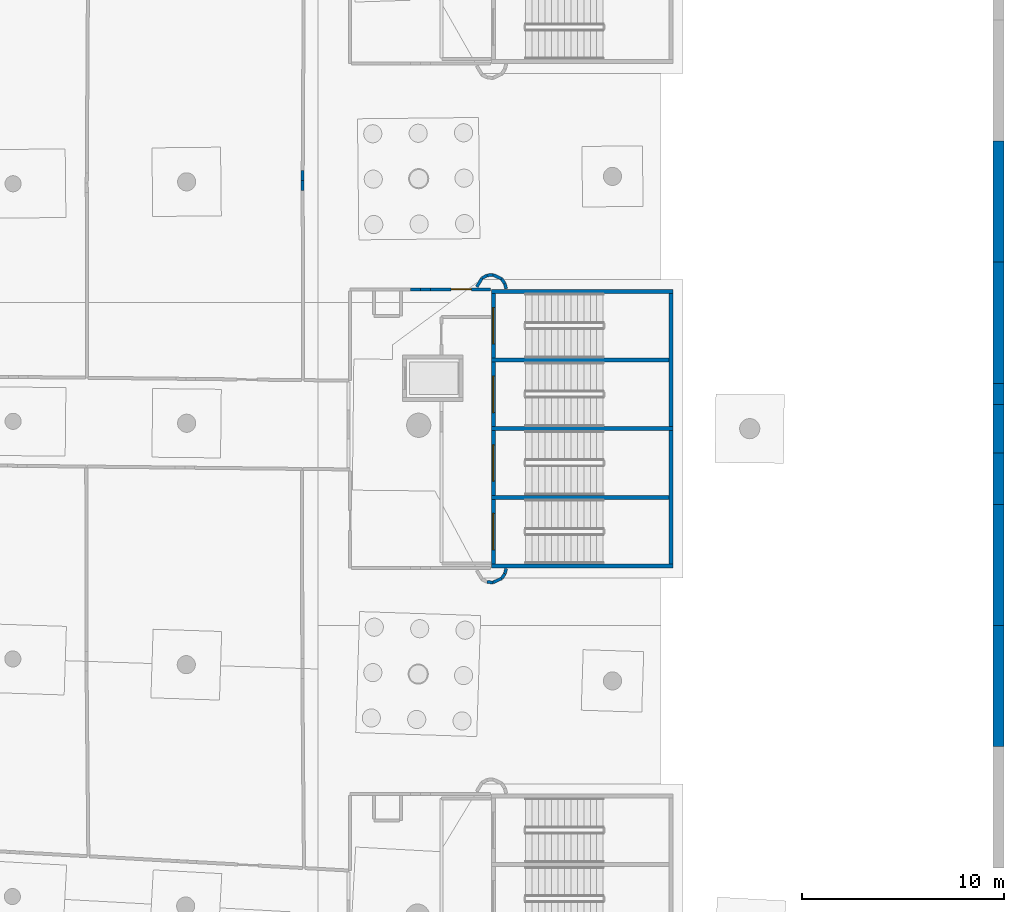
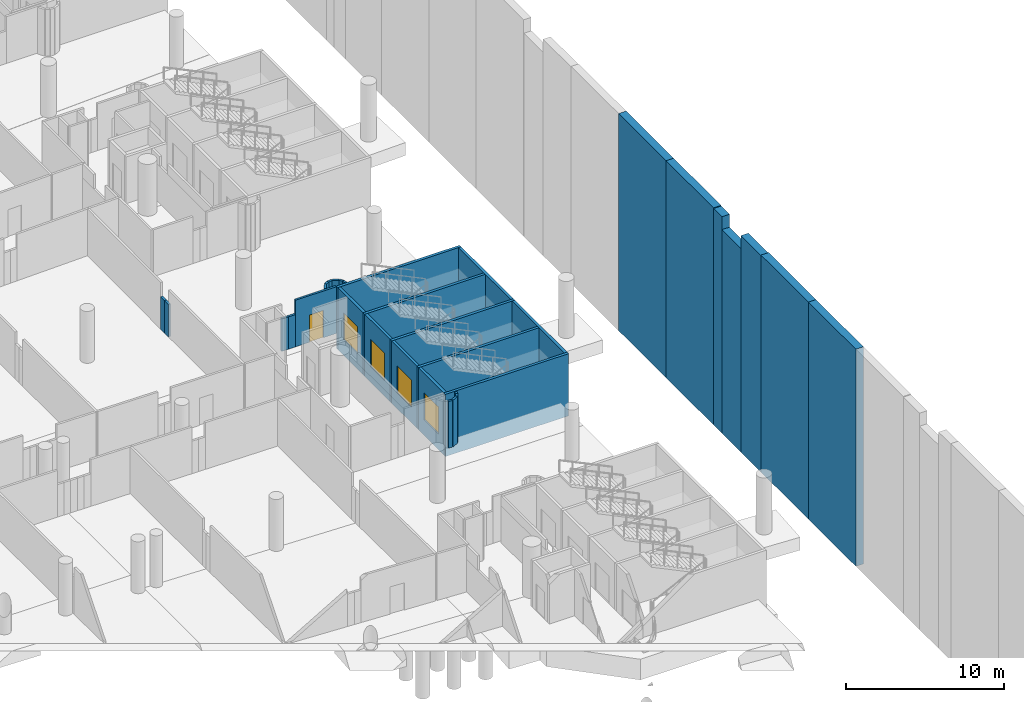
# One storey, part 65 of 142: 33 walls, 5 doors, 5 openings.
"""IFC4 building model written with IfcOpenShell, lengths in metres."""

import ifcopenshell
import ifcopenshell.guid

model = None  # the IFC model being written
_history = None  # IfcOwnerHistory: only IFC2X3 demands one
_inside = {}  # id of a spatial element -> (the spatial element, [elements in it])
_under = {}  # id of a project, library or spatial element -> (it, [spatial elements below it])
_declared = {}  # id of a project -> (the project, [libraries it declares])
_typed = {}  # id of a type object -> (the type object, [elements of that type])
_made_of = {}  # id of a material, layer set ... -> (it, [elements and type objects made of it])


def new_model(schema):
    """Start an empty IFC model of exactly this schema.

    Asked for "IFC4X3", IfcOpenShell would pick the latest addendum, in which some entities
    have other attributes; the version numbers below select the first issue.
    IFC2X3 requires an IfcOwnerHistory on every rooted entity: one is made here for all.
    """
    global model, _history
    if schema == "IFC4X3":
        model = ifcopenshell.file(schema_version=(4, 3, 0, 0))
    else:
        model = ifcopenshell.file(schema=schema)
    _inside.clear()
    _under.clear()
    _declared.clear()
    _typed.clear()
    _made_of.clear()
    _history = None
    if model.schema == "IFC2X3":
        org = make("IfcOrganization", Name="unknown")
        user = make(
            "IfcPersonAndOrganization",
            ThePerson=make("IfcPerson", FamilyName="unknown"),
            TheOrganization=org,
        )
        app = make(
            "IfcApplication",
            ApplicationDeveloper=org,
            Version="unknown",
            ApplicationFullName="unknown",
            ApplicationIdentifier="unknown",
        )
        _history = make(
            "IfcOwnerHistory",
            OwningUser=user,
            OwningApplication=app,
            ChangeAction="ADDED",
            CreationDate=0,
        )
    return model


def make(cls, **values):
    """One entity of the class cls with the attributes given. An attribute that is None is left unset."""
    return model.create_entity(
        cls, **{name: value for name, value in values.items() if value is not None}
    )


def rooted(cls, **values):
    """An entity with a GlobalId (a new one), such as an element, a storey or a relation."""
    return make(cls, GlobalId=ifcopenshell.guid.new(), OwnerHistory=_history, **values)


def si_unit(unit_type, name, prefix=None):
    """IfcSIUnit, for example si_unit("LENGTHUNIT", "METRE", prefix="MILLI")."""
    return make("IfcSIUnit", UnitType=unit_type, Prefix=prefix, Name=name)


def assignment(units):
    """IfcUnitAssignment: the units of a project."""
    return None if units is None else make("IfcUnitAssignment", Units=units)


def point(xyz):
    """IfcCartesianPoint."""
    return None if xyz is None else make("IfcCartesianPoint", Coordinates=xyz)


def direction(xyz):
    """IfcDirection."""
    return None if xyz is None else make("IfcDirection", DirectionRatios=xyz)


def frame(location, z_axis=None, x_axis=None):
    """IfcAxis2Placement3D, a coordinate frame: its origin and axes. An axis left out is left unset."""
    return make(
        "IfcAxis2Placement3D",
        Location=point(location),
        Axis=direction(z_axis),
        RefDirection=direction(x_axis),
    )


def frame_2d(location, x_axis=None):
    """IfcAxis2Placement2D, a coordinate frame in the plane: its origin and x axis."""
    return make(
        "IfcAxis2Placement2D", Location=point(location), RefDirection=direction(x_axis)
    )


def origin():
    """The frame at (0, 0, 0) with its axes left unset."""
    return frame((0.0, 0.0, 0.0))


def place(relative_to, where):
    """IfcLocalPlacement: puts the frame where relative to a parent placement (None: the world)."""
    return make(
        "IfcLocalPlacement", PlacementRelTo=relative_to, RelativePlacement=where
    )


def context(
    kind, dimensions, precision=None, world=None, true_north=None, identifier=None
):
    """IfcGeometricRepresentationContext, for example the 3D "Model" context."""
    return make(
        "IfcGeometricRepresentationContext",
        ContextIdentifier=identifier,
        ContextType=kind,
        CoordinateSpaceDimension=dimensions,
        Precision=precision,
        WorldCoordinateSystem=world,
        TrueNorth=true_north,
    )


def subcontext(parent, identifier, kind, view, scale=None):
    """IfcGeometricRepresentationSubContext, for example "Body" below "Model"."""
    return make(
        "IfcGeometricRepresentationSubContext",
        ContextIdentifier=identifier,
        ContextType=kind,
        ParentContext=parent,
        TargetScale=scale,
        TargetView=view,
    )


def project(units=None, contexts=None):
    """IfcProject with its units and contexts."""
    return rooted(
        "IfcProject",
        Name="project",
        RepresentationContexts=contexts,
        UnitsInContext=assignment(units),
    )


def spatial(cls, under=None, at=None, **own):
    """A site, building, storey or space (cls), placed at a placement, below another one or the project."""
    s = rooted(cls, ObjectPlacement=at, **own)
    if under is not None:
        _under.setdefault(under.id(), (under, []))[1].append(s)
    return s


def profile(cls, at=None, kind="AREA", **sizes):
    """A parametric profile (cls). Its sizes go by their IFC names, for example OverallWidth=200.0."""
    return make(cls, ProfileType=kind, Position=at, **sizes)


def rectangle(**sizes):
    """IfcRectangleProfileDef."""
    return profile("IfcRectangleProfileDef", **sizes)


def extrude(swept, where, along, depth):
    """IfcExtrudedAreaSolid: the profile swept, set in the frame where, extruded along a direction by depth."""
    return make(
        "IfcExtrudedAreaSolid",
        SweptArea=swept,
        Position=where,
        ExtrudedDirection=direction(along),
        Depth=depth,
    )


def shape(context_of_items, identifier, shape_type, items):
    """IfcShapeRepresentation: the items that make up one representation, for example the "Body"."""
    return make(
        "IfcShapeRepresentation",
        ContextOfItems=context_of_items,
        RepresentationIdentifier=identifier,
        RepresentationType=shape_type,
        Items=items,
    )


def material(Name=None, Category=None):
    """IfcMaterial."""
    return make("IfcMaterial", Name=Name, Category=Category)


def layer(
    of_material, thickness, ventilated=None, Name=None, Category=None, Priority=None
):
    """IfcMaterialLayer: one layer of a wall or slab, of a material (None: an air gap)."""
    return make(
        "IfcMaterialLayer",
        Material=of_material,
        LayerThickness=thickness,
        IsVentilated=ventilated,
        Name=Name,
        Category=Category,
        Priority=Priority,
    )


def layer_set(layers, Name=None):
    """IfcMaterialLayerSet."""
    return make("IfcMaterialLayerSet", MaterialLayers=layers, LayerSetName=Name)


def made_of(thing, what):
    """Note that an element or type object is made of a material, layer set ...; save() writes the relation."""
    if what is not None:
        _made_of.setdefault(what.id(), (what, []))[1].append(thing)
    return thing


def type_object(cls, material=None, **own):
    """A type object (cls), such as IfcWallType, which elements share."""
    return made_of(rooted(cls, **own), material)


def element(
    cls,
    number,
    at=None,
    inside=None,
    cuts=None,
    type_object=None,
    material=None,
    context=None,
    identifier="Body",
    shape_type=None,
    held_by="IfcProductDefinitionShape",
    body=None,
    shapes=None,
    **own,
):
    """One element of the class cls, such as IfcWall. Its Tag is "e" and its number.

    at: its placement. inside: the storey or other place that contains it. cuts: it is an
    opening in that element (IfcRelVoidsElement). A single representation is given by context,
    identifier, shape_type and body (its items); several are given by shapes. held_by: the class
    of the entity that holds the representations. save() writes the other relations.
    """
    e = rooted(cls, Tag="e%d" % number, ObjectPlacement=at, **own)
    if body is not None:
        shapes = [shape(context, identifier, shape_type, body)]
    if shapes is not None:
        e.Representation = make(held_by, Representations=shapes)
    if inside is not None:
        _inside.setdefault(inside.id(), (inside, []))[1].append(e)
    if cuts is not None:
        rooted(
            "IfcRelVoidsElement", RelatingBuildingElement=cuts, RelatedOpeningElement=e
        )
    if type_object is not None:
        _typed.setdefault(type_object.id(), (type_object, []))[1].append(e)
    return made_of(e, material)


def fill(opening, filler):
    """IfcRelFillsElement: the door or window that sits in an opening."""
    return rooted(
        "IfcRelFillsElement",
        RelatingOpeningElement=opening,
        RelatedBuildingElement=filler,
    )


def aggregate(whole, parts):
    """IfcRelAggregates: a whole, such as a stair, and the parts it consists of."""
    return rooted("IfcRelAggregates", RelatingObject=whole, RelatedObjects=parts)


def save(model, path):
    """Write the relations noted so far, then the file.

    IfcRelAggregates (storeys below a building ...), IfcRelContainedInSpatialStructure (elements
    in a storey), IfcRelDefinesByType, IfcRelAssociatesMaterial and IfcRelDeclares: one each for
    every whole, place, type object, material and project.
    """
    for whole, parts in _under.values():
        aggregate(whole, parts)
    for where, things in _inside.values():
        rooted(
            "IfcRelContainedInSpatialStructure",
            RelatedElements=things,
            RelatingStructure=where,
        )
    for kind, things in _typed.values():
        rooted("IfcRelDefinesByType", RelatedObjects=things, RelatingType=kind)
    for what, things in _made_of.values():
        rooted("IfcRelAssociatesMaterial", RelatedObjects=things, RelatingMaterial=what)
    for by, libraries in _declared.values():
        rooted("IfcRelDeclares", RelatingContext=by, RelatedDefinitions=libraries)
    model.write(path)


model = new_model("IFC4")

# Units and contexts
model_context = context("Model", 3, precision=1e-05, world=origin(), true_north=direction((0.0, 1.0)))
body_context = subcontext(model_context, "Body", "Model", "MODEL_VIEW")
ifc_project = project(units=[si_unit("LENGTHUNIT", "METRE"), si_unit("AREAUNIT", "SQUARE_METRE"), si_unit("VOLUMEUNIT", "CUBIC_METRE"), si_unit("PLANEANGLEUNIT", "RADIAN"), si_unit("MASSUNIT", "GRAM", prefix="KILO")], contexts=[model_context])

# Site, building, storey
site_placement = place(None, origin())
site = spatial("IfcSite", under=ifc_project, at=site_placement, CompositionType="ELEMENT")
building_placement = place(site_placement, origin())
building = spatial("IfcBuilding", under=site, at=building_placement, Name="Meseta Stadium", CompositionType="ELEMENT")
storey_placement = place(building_placement, frame((0.0, 0.0, -4.0)))
storey = spatial("IfcBuildingStorey", under=building, at=storey_placement, Name="B1", CompositionType="ELEMENT", Elevation=-4.0)

# Walls
ifc_material_1 = material(Name="Concrete C40/50", Category="concrete")
ifc_layer_1 = layer(ifc_material_1, 0.199951171875)
ifc_layer_set_1 = layer_set([ifc_layer_1], Name="Core divider wall 200")
wall_type_1 = type_object("IfcWallType", Name="Core divider wall 200", PredefinedType="SHEAR", material=ifc_layer_set_1)
for number, where, z_axis, x_axis, name in (
    (1, (97.60009765625, -9.64990234375, -1.199951171875), (0.0, 0.0, 1.0), (-1.0, 0.0, 0.0), "Core 03 B1 stair A divider wall"),
    (2, (97.60009765625, -2.85009765625, -1.199951171875), (0.0, 0.0, 1.0), (-1.0, 0.0, 0.0), "Core 03 B1 stair B divider wall"),
):
    element("IfcWall", number, at=place(storey_placement, frame(where, z_axis=z_axis, x_axis=x_axis)), inside=storey, type_object=wall_type_1, Name=name, PredefinedType="SHEAR", context=body_context, shape_type="SweptSolid", body=[
        extrude(rectangle(XDim=9.0, YDim=0.199951171875, at=frame_2d((4.5, 0.0))), origin(), (0.0, 0.0, 1.0), 4.800048828125),
    ])
ifc_material_2 = material(Name="Concrete C40/50", Category="concrete")
ifc_layer_2 = layer(ifc_material_2, 0.199951171875)
ifc_layer_set_2 = layer_set([ifc_layer_2], Name="Core shaft wall 200")
wall_type_2 = type_object("IfcWallType", Name="Core shaft wall 200", PredefinedType="SHEAR", material=ifc_layer_set_2)
for number, where, z_axis, x_axis, name in (
    (3, (97.60009765625, -13.050048828125, -1.199951171875), (0.0, 0.0, 1.0), (-1.0, 0.0, 0.0), "Core 03 B1 stair wall A-side"),
    (4, (97.60009765625, -6.25, -1.199951171875), (0.0, 0.0, 1.0), (-1.0, 0.0, 0.0), "Core 03 B1 stair wall shared"),
    (5, (97.60009765625, 0.550048828125, -1.199951171875), (0.0, 0.0, 1.0), (-1.0, 0.0, 0.0), "Core 03 B1 stair wall B-side"),
):
    element("IfcWall", number, at=place(storey_placement, frame(where, z_axis=z_axis, x_axis=x_axis)), inside=storey, type_object=wall_type_2, Name=name, PredefinedType="SHEAR", context=body_context, shape_type="SweptSolid", body=[
        extrude(rectangle(XDim=9.0, YDim=0.199951171875, at=frame_2d((4.5, 0.0))), origin(), (0.0, 0.0, 1.0), 4.800048828125),
    ])
for number, where, z_axis, x_axis, name in (
    (6, (97.5, -12.949951171875, -1.199951171875), (0.0, 0.0, 1.0), (0.0, 1.0, 0.0), "Core 03 B1 stair A outer end wall"),
    (7, (97.5, -6.14990234375, -1.199951171875), (0.0, 0.0, 1.0), (0.0, 1.0, 0.0), "Core 03 B1 stair B outer end wall"),
):
    element("IfcWall", number, at=place(storey_placement, frame(where, z_axis=z_axis, x_axis=x_axis)), inside=storey, type_object=wall_type_2, Name=name, PredefinedType="SHEAR", context=body_context, shape_type="SweptSolid", body=[
        extrude(rectangle(XDim=6.599853515625, YDim=0.199951171875, at=frame_2d((3.2998046875, 0.0))), origin(), (0.0, 0.0, 1.0), 4.800048828125),
    ])

# Wall, opening, door
wall_1_placement = place(storey_placement, frame((88.699951171875, -12.949951171875, -1.199951171875), z_axis=(0.0, 0.0, 1.0), x_axis=(0.0, 1.0, 0.0)))
wall_1 = element("IfcWall", 8, at=wall_1_placement, inside=storey, type_object=wall_type_2, Name="Core 03 B1 stair A1 inner end wall", PredefinedType="SHEAR", context=body_context, shape_type="SweptSolid", body=[
    extrude(rectangle(XDim=3.199951171875, YDim=0.199951171875, at=frame_2d((1.60009765625, 0.0))), origin(), (0.0, 0.0, 1.0), 4.800048828125),
])
opening_1_placement = place(wall_1_placement, frame((0.699951171875, 0.0, 1.199951171875)))
opening_1 = element("IfcOpeningElement", 9, at=opening_1_placement, cuts=wall_1, Name="Opening D055", PredefinedType="OPENING", context=body_context, shape_type="SweptSolid", body=[
    extrude(rectangle(XDim=1.800048828125, YDim=2.10009765625, at=frame_2d((0.89990234375, 1.050048828125))), frame((0.0, 0.10986328125, 0.0), z_axis=(0.0, -1.0, 0.0), x_axis=(1.0, 0.0, 0.0)), (0.0, 0.0, 1.0), 0.219970703125),
])
ifc_material_3 = material(Name="Steel", Category="steel")
door_type_1 = type_object("IfcDoorType", Name="Stair door 1800x2100", OperationType="DOUBLE_DOOR_SINGLE_SWING", PredefinedType="DOOR", material=ifc_material_3)
door_1_placement = place(opening_1_placement, origin())
door_1 = element("IfcDoor", 10, at=door_1_placement, inside=storey, type_object=door_type_1, Name="Stair A1 door 03 B1", OperationType="DOUBLE_DOOR_SINGLE_SWING", OverallHeight=2.10009765625, OverallWidth=1.800048828125, PredefinedType="DOOR", context=body_context, shape_type="SweptSolid", body=[
    extrude(rectangle(XDim=1.800048828125, YDim=2.10009765625, at=frame_2d((0.89990234375, 1.050048828125))), frame((0.0, 0.02490234375, 0.0), z_axis=(0.0, -1.0, 0.0), x_axis=(1.0, 0.0, 0.0)), (0.0, 0.0, 1.0), 0.050048828125),
])
fill(opening_1, door_1)

wall_2_placement = place(storey_placement, frame((88.699951171875, -9.550048828125, -1.199951171875), z_axis=(0.0, 0.0, 1.0), x_axis=(0.0, 1.0, 0.0)))
wall_2 = element("IfcWall", 11, at=wall_2_placement, inside=storey, type_object=wall_type_2, Name="Core 03 B1 stair A2 inner end wall", PredefinedType="SHEAR", context=body_context, shape_type="SweptSolid", body=[
    extrude(rectangle(XDim=3.199951171875, YDim=0.199951171875, at=frame_2d((1.60009765625, 0.0))), origin(), (0.0, 0.0, 1.0), 4.800048828125),
])
opening_2_placement = place(wall_2_placement, frame((0.699951171875, 0.0, 1.199951171875)))
opening_2 = element("IfcOpeningElement", 12, at=opening_2_placement, cuts=wall_2, Name="Opening D056", PredefinedType="OPENING", context=body_context, shape_type="SweptSolid", body=[
    extrude(rectangle(XDim=1.800048828125, YDim=2.10009765625, at=frame_2d((0.89990234375, 1.050048828125))), frame((0.0, 0.10986328125, 0.0), z_axis=(0.0, -1.0, 0.0), x_axis=(1.0, 0.0, 0.0)), (0.0, 0.0, 1.0), 0.219970703125),
])
door_2_placement = place(opening_2_placement, origin())
door_2 = element("IfcDoor", 13, at=door_2_placement, inside=storey, type_object=door_type_1, Name="Stair A2 door 03 B1", OperationType="DOUBLE_DOOR_SINGLE_SWING", OverallHeight=2.10009765625, OverallWidth=1.800048828125, PredefinedType="DOOR", context=body_context, shape_type="SweptSolid", body=[
    extrude(rectangle(XDim=1.800048828125, YDim=2.10009765625, at=frame_2d((0.89990234375, 1.050048828125))), frame((0.0, 0.02490234375, 0.0), z_axis=(0.0, -1.0, 0.0), x_axis=(1.0, 0.0, 0.0)), (0.0, 0.0, 1.0), 0.050048828125),
])
fill(opening_2, door_2)

wall_3_placement = place(storey_placement, frame((88.699951171875, -6.14990234375, -1.199951171875), z_axis=(0.0, 0.0, 1.0), x_axis=(0.0, 1.0, 0.0)))
wall_3 = element("IfcWall", 14, at=wall_3_placement, inside=storey, type_object=wall_type_2, Name="Core 03 B1 stair B1 inner end wall", PredefinedType="SHEAR", context=body_context, shape_type="SweptSolid", body=[
    extrude(rectangle(XDim=3.199951171875, YDim=0.199951171875, at=frame_2d((1.60009765625, 0.0))), origin(), (0.0, 0.0, 1.0), 4.800048828125),
])
opening_3_placement = place(wall_3_placement, frame((0.699951171875, 0.0, 1.199951171875)))
opening_3 = element("IfcOpeningElement", 15, at=opening_3_placement, cuts=wall_3, Name="Opening D057", PredefinedType="OPENING", context=body_context, shape_type="SweptSolid", body=[
    extrude(rectangle(XDim=1.800048828125, YDim=2.10009765625, at=frame_2d((0.89990234375, 1.050048828125))), frame((0.0, 0.10986328125, 0.0), z_axis=(0.0, -1.0, 0.0), x_axis=(1.0, 0.0, 0.0)), (0.0, 0.0, 1.0), 0.219970703125),
])
door_3_placement = place(opening_3_placement, origin())
door_3 = element("IfcDoor", 16, at=door_3_placement, inside=storey, type_object=door_type_1, Name="Stair B1 door 03 B1", OperationType="DOUBLE_DOOR_SINGLE_SWING", OverallHeight=2.10009765625, OverallWidth=1.800048828125, PredefinedType="DOOR", context=body_context, shape_type="SweptSolid", body=[
    extrude(rectangle(XDim=1.800048828125, YDim=2.10009765625, at=frame_2d((0.89990234375, 1.050048828125))), frame((0.0, 0.02490234375, 0.0), z_axis=(0.0, -1.0, 0.0), x_axis=(1.0, 0.0, 0.0)), (0.0, 0.0, 1.0), 0.050048828125),
])
fill(opening_3, door_3)

wall_4_placement = place(storey_placement, frame((88.699951171875, -2.75, -1.199951171875), z_axis=(0.0, 0.0, 1.0), x_axis=(0.0, 1.0, 0.0)))
wall_4 = element("IfcWall", 17, at=wall_4_placement, inside=storey, type_object=wall_type_2, Name="Core 03 B1 stair B2 inner end wall", PredefinedType="SHEAR", context=body_context, shape_type="SweptSolid", body=[
    extrude(rectangle(XDim=3.199951171875, YDim=0.199951171875, at=frame_2d((1.60009765625, 0.0))), origin(), (0.0, 0.0, 1.0), 4.800048828125),
])
opening_4_placement = place(wall_4_placement, frame((0.699951171875, 0.0, 1.199951171875)))
opening_4 = element("IfcOpeningElement", 18, at=opening_4_placement, cuts=wall_4, Name="Opening D058", PredefinedType="OPENING", context=body_context, shape_type="SweptSolid", body=[
    extrude(rectangle(XDim=1.800048828125, YDim=2.10009765625, at=frame_2d((0.89990234375, 1.050048828125))), frame((0.0, 0.10986328125, 0.0), z_axis=(0.0, -1.0, 0.0), x_axis=(1.0, 0.0, 0.0)), (0.0, 0.0, 1.0), 0.219970703125),
])
door_4_placement = place(opening_4_placement, origin())
door_4 = element("IfcDoor", 19, at=door_4_placement, inside=storey, type_object=door_type_1, Name="Stair B2 door 03 B1", OperationType="DOUBLE_DOOR_SINGLE_SWING", OverallHeight=2.10009765625, OverallWidth=1.800048828125, PredefinedType="DOOR", context=body_context, shape_type="SweptSolid", body=[
    extrude(rectangle(XDim=1.800048828125, YDim=2.10009765625, at=frame_2d((0.89990234375, 1.050048828125))), frame((0.0, 0.02490234375, 0.0), z_axis=(0.0, -1.0, 0.0), x_axis=(1.0, 0.0, 0.0)), (0.0, 0.0, 1.0), 0.050048828125),
])
fill(opening_4, door_4)

# Walls
ifc_material_4 = material(Name="Masonry blockwork", Category="masonry")
ifc_layer_3 = layer(ifc_material_4, 0.14990234375)
ifc_layer_set_3 = layer_set([ifc_layer_3], Name="Partition 150")
wall_type_3 = type_object("IfcWallType", Name="Partition 150", PredefinedType="PARTITIONING", material=ifc_layer_set_3)
wall_5_placement = place(storey_placement, frame((79.25048828125, 6.538818359375, 0.0), z_axis=(0.0, 0.0, 1.0), x_axis=(-0.005432018623, -0.999985246478, 0.0)))
element("IfcWall", 20, at=wall_5_placement, inside=storey, type_object=wall_type_3, Name="Partition B1 B1-cell02-2-0", PredefinedType="PARTITIONING", context=body_context, shape_type="SweptSolid", body=[
    extrude(rectangle(XDim=0.494384765625, YDim=0.14990234375, at=frame_2d((0.2470703125, 0.0))), origin(), (0.0, 0.0, 1.0), 2.5),
])
wall_6_placement = place(storey_placement, frame((79.247802734375, 6.04443359375, 0.0), z_axis=(0.0, 0.0, 1.0), x_axis=(0.001974329814, -0.999998051009, 0.0)))
element("IfcWall", 21, at=wall_6_placement, inside=storey, type_object=wall_type_3, Name="Partition B1 B1-cell02-2-0", PredefinedType="PARTITIONING", context=body_context, shape_type="SweptSolid", body=[
    extrude(rectangle(XDim=0.49462890625, YDim=0.14990234375, at=frame_2d((0.247314453125, 0.0))), origin(), (0.0, 0.0, 1.0), 2.5),
])

# Wall, opening, door
wall_7_placement = place(storey_placement, frame((88.56005859375, 0.64990234375, 0.0), z_axis=(0.0, 0.0, 1.0), x_axis=(-1.0, 0.0, 0.0)))
wall_7 = element("IfcWall", 22, at=wall_7_placement, inside=storey, type_object=wall_type_3, Name="Partition B1 B1-cell02-3-0", PredefinedType="PARTITIONING", context=body_context, shape_type="SweptSolid", body=[
    extrude(rectangle(XDim=2.98291015625, YDim=0.14990234375, at=frame_2d((1.491455078125, 0.0))), origin(), (0.0, 0.0, 1.0), 3.60009765625),
])
opening_5_placement = place(wall_7_placement, frame((0.949951171875, 0.0, 0.0)))
opening_5 = element("IfcOpeningElement", 23, at=opening_5_placement, cuts=wall_7, Name="Opening D441", PredefinedType="OPENING", context=body_context, shape_type="SweptSolid", body=[
    extrude(rectangle(XDim=1.0, YDim=2.10009765625, at=frame_2d((0.5, 1.050048828125))), frame((0.0, 0.0849609375, 0.0), z_axis=(0.0, -1.0, 0.0), x_axis=(1.0, 0.0, 0.0)), (0.0, 0.0, 1.0), 0.169921875),
])
ifc_material_5 = material(Name="Steel", Category="steel")
door_type_2 = type_object("IfcDoorType", Name="Fire door 1000x2100 EI2 60", OperationType="NOTDEFINED", PredefinedType="DOOR", material=ifc_material_5)
door_5_placement = place(opening_5_placement, origin())
door_5 = element("IfcDoor", 24, at=door_5_placement, inside=storey, type_object=door_type_2, Name="Door D441", OperationType="SINGLE_SWING_RIGHT", OverallHeight=2.10009765625, OverallWidth=1.0, PredefinedType="DOOR", context=body_context, shape_type="SweptSolid", body=[
    extrude(rectangle(XDim=1.0, YDim=2.10009765625, at=frame_2d((0.5, 1.050048828125))), frame((0.0, 0.02490234375, 0.0), z_axis=(0.0, -1.0, 0.0), x_axis=(1.0, 0.0, 0.0)), (0.0, 0.0, 1.0), 0.050048828125),
])
fill(opening_5, door_5)

# Walls
for number, where, z_axis, x_axis, name in (
    (25, (85.5771484375, 0.64990234375, 0.0), (0.0, 0.0, 1.0), (-1.0, 0.0, 0.0), "Partition B1 B1-cell02-3-0"),
    (26, (85.080078125, 0.64990234375, 0.0), (0.0, 0.0, 1.0), (-1.0, 0.0, 0.0), "Partition B1 B1-cell02-3-0"),
):
    element("IfcWall", number, at=place(storey_placement, frame(where, z_axis=z_axis, x_axis=x_axis)), inside=storey, type_object=wall_type_3, Name=name, PredefinedType="PARTITIONING", context=body_context, shape_type="SweptSolid", body=[
        extrude(rectangle(XDim=0.4970703125, YDim=0.14990234375, at=frame_2d((0.24853515625, 0.0))), origin(), (0.0, 0.0, 1.0), 2.5),
    ])
wall_8_placement = place(storey_placement, frame((88.38916015625, -13.84521484375, 0.0), z_axis=(0.0, 0.0, 1.0), x_axis=(0.995194714408, -0.097915680128, 0.0)))
element("IfcWall", 27, at=wall_8_placement, inside=storey, type_object=wall_type_3, Name="Stair vestibule wall B1 core 03", PredefinedType="PARTITIONING", context=body_context, shape_type="SweptSolid", body=[
    extrude(rectangle(XDim=0.289306640625, YDim=0.14990234375, at=frame_2d((0.14453125, 0.0))), origin(), (0.0, 0.0, 1.0), 3.60009765625),
])
wall_9_placement = place(storey_placement, frame((88.677001953125, -13.87353515625, 0.0), z_axis=(0.0, 0.0, 1.0), x_axis=(0.90398642908, 0.427561148889, 0.0)))
element("IfcWall", 28, at=wall_9_placement, inside=storey, type_object=wall_type_3, Name="Stair vestibule wall B1 core 03", PredefinedType="PARTITIONING", context=body_context, shape_type="SweptSolid", body=[
    extrude(rectangle(XDim=0.479736328125, YDim=0.14990234375, at=frame_2d((0.23974609375, 0.0))), origin(), (0.0, 0.0, 1.0), 3.60009765625),
])
wall_10_placement = place(storey_placement, frame((89.110595703125, -13.66845703125, 0.0), z_axis=(0.0, 0.0, 1.0), x_axis=(0.555678694372, 0.831397130511, 0.0)))
element("IfcWall", 29, at=wall_10_placement, inside=storey, type_object=wall_type_3, Name="Stair vestibule wall B1 core 03", PredefinedType="PARTITIONING", context=body_context, shape_type="SweptSolid", body=[
    extrude(rectangle(XDim=0.287841796875, YDim=0.14990234375, at=frame_2d((0.14404296875, 0.0))), origin(), (0.0, 0.0, 1.0), 3.60009765625),
])
for number, where, z_axis, x_axis, name in (
    (30, (89.2705078125, -13.42919921875, 0.0), (0.0, 0.0, 1.0), (0.230253879357, 0.973130593004, 0.0), "Stair vestibule wall B1 core 03"),
    (31, (89.329833984375, 0.678466796875, 0.0), (0.0, 0.0, 1.0), (-0.230253879357, 0.973130593004, 0.0), "Stair vestibule wall B1 core 03"),
):
    element("IfcWall", number, at=place(storey_placement, frame(where, z_axis=z_axis, x_axis=x_axis)), inside=storey, type_object=wall_type_3, Name=name, PredefinedType="PARTITIONING", context=body_context, shape_type="SweptSolid", body=[
        extrude(rectangle(XDim=0.257568359375, YDim=0.14990234375, at=frame_2d((0.12890625, 0.0))), origin(), (0.0, 0.0, 1.0), 3.60009765625),
    ])
wall_11_placement = place(storey_placement, frame((89.2705078125, 0.92919921875, 0.0), z_axis=(0.0, 0.0, 1.0), x_axis=(-0.555678694372, 0.831397130511, 0.0)))
element("IfcWall", 32, at=wall_11_placement, inside=storey, type_object=wall_type_3, Name="Stair vestibule wall B1 core 03", PredefinedType="PARTITIONING", context=body_context, shape_type="SweptSolid", body=[
    extrude(rectangle(XDim=0.287841796875, YDim=0.14990234375, at=frame_2d((0.14404296875, 0.0))), origin(), (0.0, 0.0, 1.0), 3.60009765625),
])
wall_12_placement = place(storey_placement, frame((89.110595703125, 1.16845703125, 0.0), z_axis=(0.0, 0.0, 1.0), x_axis=(-0.90398642908, 0.427561148889, 0.0)))
element("IfcWall", 33, at=wall_12_placement, inside=storey, type_object=wall_type_3, Name="Stair vestibule wall B1 core 03", PredefinedType="PARTITIONING", context=body_context, shape_type="SweptSolid", body=[
    extrude(rectangle(XDim=0.479736328125, YDim=0.14990234375, at=frame_2d((0.23974609375, 0.0))), origin(), (0.0, 0.0, 1.0), 3.60009765625),
])
for number, where, z_axis, x_axis, name in (
    (34, (88.677001953125, 1.37353515625, 0.0), (0.0, 0.0, 1.0), (-0.995194714408, -0.097915680128, 0.0), "Stair vestibule wall B1 core 03"),
    (35, (88.38916015625, 1.34521484375, 0.0), (0.0, 0.0, 1.0), (-0.881768319, -0.471682765858, 0.0), "Stair vestibule wall B1 core 03"),
):
    element("IfcWall", number, at=place(storey_placement, frame(where, z_axis=z_axis, x_axis=x_axis)), inside=storey, type_object=wall_type_3, Name=name, PredefinedType="PARTITIONING", context=body_context, shape_type="SweptSolid", body=[
        extrude(rectangle(XDim=0.289306640625, YDim=0.14990234375, at=frame_2d((0.14453125, 0.0))), origin(), (0.0, 0.0, 1.0), 3.60009765625),
    ])
wall_13_placement = place(storey_placement, frame((88.134033203125, 1.208740234375, 0.0), z_axis=(0.0, 0.0, 1.0), x_axis=(-0.513060623194, -0.858352373404, 0.0)))
element("IfcWall", 36, at=wall_13_placement, inside=storey, type_object=wall_type_3, Name="Stair vestibule wall B1 core 03", PredefinedType="PARTITIONING", context=body_context, shape_type="SweptSolid", body=[
    extrude(rectangle(XDim=0.50048828125, YDim=0.14990234375, at=frame_2d((0.250244140625, 0.0))), origin(), (0.0, 0.0, 1.0), 3.60009765625),
])
ifc_material_6 = material(Name="Concrete C30/37", Category="concrete")
ifc_layer_4 = layer(ifc_material_6, 0.550048828125)
ifc_layer_set_4 = layer_set([ifc_layer_4], Name="Site retaining wall 550")
wall_type_4 = type_object("IfcWallType", Name="Site retaining wall 550", PredefinedType="SOLIDWALL", material=ifc_layer_set_4)
for number, where, z_axis, x_axis, name in (
    (37, (113.72509765625, -22.0, -13.0), (0.0, 0.0, 1.0), (0.0, 1.0, 0.0), "Site retaining wall 70"),
    (38, (113.72509765625, -16.0, -13.0), (0.0, 0.0, 1.0), (0.0, 1.0, 0.0), "Site retaining wall 71"),
):
    element("IfcWall", number, at=place(storey_placement, frame(where, z_axis=z_axis, x_axis=x_axis)), inside=storey, type_object=wall_type_4, Name=name, PredefinedType="SOLIDWALL", context=body_context, shape_type="SweptSolid", body=[
        extrude(rectangle(XDim=6.0, YDim=0.550048828125, at=frame_2d((3.0, 0.0))), origin(), (0.0, 0.0, 1.0), 16.75),
    ])
wall_14_placement = place(storey_placement, frame((113.72509765625, -10.0, -13.0), z_axis=(0.0, 0.0, 1.0), x_axis=(0.0, 1.0, 0.0)))
element("IfcWall", 39, at=wall_14_placement, inside=storey, type_object=wall_type_4, Name="Site retaining wall 72", PredefinedType="SOLIDWALL", context=body_context, shape_type="SweptSolid", body=[
    extrude(rectangle(XDim=2.550048828125, YDim=0.550048828125, at=frame_2d((1.27490234375, 0.0))), origin(), (0.0, 0.0, 1.0), 16.699951171875),
])
wall_15_placement = place(storey_placement, frame((113.72509765625, -7.449951171875, -13.0), z_axis=(0.0, 0.0, 1.0), x_axis=(0.0, 1.0, 0.0)))
element("IfcWall", 40, at=wall_15_placement, inside=storey, type_object=wall_type_4, Name="Site retaining wall 73", PredefinedType="SOLIDWALL", context=body_context, shape_type="SweptSolid", body=[
    extrude(rectangle(XDim=2.39990234375, YDim=0.550048828125, at=frame_2d((1.199951171875, 0.0))), origin(), (0.0, 0.0, 1.0), 15.699951171875),
])
wall_16_placement = place(storey_placement, frame((113.72509765625, -5.050048828125, -13.0), z_axis=(0.0, 0.0, 1.0), x_axis=(0.0, 1.0, 0.0)))
element("IfcWall", 41, at=wall_16_placement, inside=storey, type_object=wall_type_4, Name="Site retaining wall 74", PredefinedType="SOLIDWALL", context=body_context, shape_type="SweptSolid", body=[
    extrude(rectangle(XDim=1.050048828125, YDim=0.550048828125, at=frame_2d((0.52490234375, 0.0))), origin(), (0.0, 0.0, 1.0), 16.699951171875),
])
for number, where, z_axis, x_axis, name in (
    (42, (113.72509765625, -4.0, -13.0), (0.0, 0.0, 1.0), (0.0, 1.0, 0.0), "Site retaining wall 75"),
    (43, (113.72509765625, 2.0, -13.0), (0.0, 0.0, 1.0), (0.0, 1.0, 0.0), "Site retaining wall 76"),
):
    element("IfcWall", number, at=place(storey_placement, frame(where, z_axis=z_axis, x_axis=x_axis)), inside=storey, type_object=wall_type_4, Name=name, PredefinedType="SOLIDWALL", context=body_context, shape_type="SweptSolid", body=[
        extrude(rectangle(XDim=6.0, YDim=0.550048828125, at=frame_2d((3.0, 0.0))), origin(), (0.0, 0.0, 1.0), 16.75),
    ])

save(model, "model.ifc")
